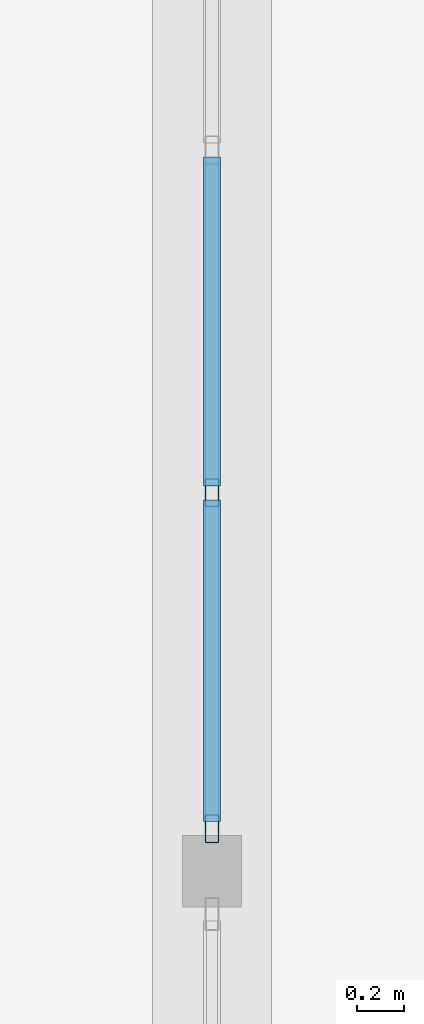
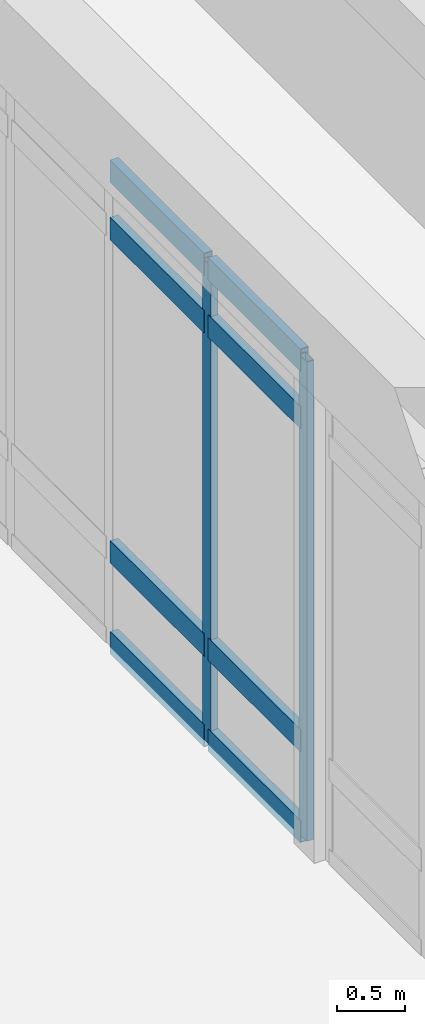
# One storey, part 36 of 138: 10 members, 1 element without a shape of its own.
"""IFC4 building model written with IfcOpenShell, lengths in metres."""

from ifc_helpers import new_model, si_unit, direction, frame, origin, origin_2d, place, context, subcontext, project, spatial, hollow_rectangle, extrude, material, layer, layer_set, material_profile, profile_set, type_object, element, aggregate, save


model = new_model("IFC4")

# Units and contexts
model_context = context("Model", 3, precision=1e-05, world=origin(), true_north=direction((0.0, 1.0)))
body_context = subcontext(model_context, "Body", "Model", "MODEL_VIEW")
ifc_project = project(units=[si_unit("LENGTHUNIT", "METRE"), si_unit("AREAUNIT", "SQUARE_METRE"), si_unit("VOLUMEUNIT", "CUBIC_METRE"), si_unit("PLANEANGLEUNIT", "RADIAN"), si_unit("MASSUNIT", "GRAM", prefix="KILO")], contexts=[model_context])

# Site, building, storey
site_placement = place(None, origin())
site = spatial("IfcSite", under=ifc_project, at=site_placement, CompositionType="ELEMENT")
building_placement = place(site_placement, origin())
building = spatial("IfcBuilding", under=site, at=building_placement, Name="Fikremerkos Civic Library", CompositionType="ELEMENT")
storey_placement = place(building_placement, origin())
storey = spatial("IfcBuildingStorey", under=building, at=storey_placement, Name="L00", CompositionType="ELEMENT", Elevation=0.0)

# Curtain wall, members
ifc_material = material(Name="Anodized aluminium Frame", Category="aluminium")
ifc_layer = layer(ifc_material, 0.159912109375, Name="Anodized aluminium Frame")
ifc_layer_set = layer_set([ifc_layer], Name="Anodized aluminium Frame")
curtain_wall_type = type_object("IfcCurtainWallType", Name="Unitised curtain wall CW-08 4500x4100", PredefinedType="USERDEFINED", material=ifc_layer_set)
curtain_wall_placement = place(storey_placement, origin())
curtain_wall = element("IfcCurtainWall", 1, at=curtain_wall_placement, inside=storey, type_object=curtain_wall_type, Name="Unitised curtain wall CW-08 L00 #26", ObjectType="UNITISED CURTAIN WALL", PredefinedType="USERDEFINED")
ifc_material_profile_1 = material_profile(ifc_material, hollow_rectangle(XDim=0.06005859375, YDim=0.1201171875, WallThickness=0.00390625, at=origin_2d()), Name="ALU 120x60x4")
ifc_profile_set_1 = profile_set([ifc_material_profile_1], Name="Anodized aluminium Frame")
member_type_1 = type_object("IfcMemberType", Name="Curtain mullion CWM-04 ALU 120x60x4", PredefinedType="MULLION", material=ifc_profile_set_1)
member_1_placement = place(storey_placement, frame((124.800048828125, 64.354248046875, 0.0), z_axis=(0.0, 0.0, 1.0), x_axis=(-1.0, 0.0, 0.0)))
member_1 = element("IfcMember", 2, at=member_1_placement, type_object=member_type_1, Name="CW-08 mullion 1", PredefinedType="MULLION", context=body_context, shape_type="SweptSolid", body=[
    extrude(hollow_rectangle(XDim=0.06005859375, YDim=0.1201171875, WallThickness=0.00390625, at=origin_2d()), origin(), (0.0, 0.0, 1.0), 4.300048828125),
])
member_2_placement = place(storey_placement, frame((124.800048828125, 65.768310546875, 0.0), z_axis=(0.0, 0.0, 1.0), x_axis=(-1.0, 0.0, 0.0)))
member_2 = element("IfcMember", 3, at=member_2_placement, type_object=member_type_1, Name="CW-08 mullion 2", PredefinedType="MULLION", context=body_context, shape_type="SweptSolid", body=[
    extrude(hollow_rectangle(XDim=0.06005859375, YDim=0.1201171875, WallThickness=0.00390625, at=origin_2d()), origin(), (0.0, 0.0, 1.0), 4.300048828125),
])
ifc_material_profile_2 = material_profile(ifc_material, hollow_rectangle(XDim=0.070068359375, YDim=0.199951171875, WallThickness=0.0048828125, at=origin_2d()), Name="ALU 200x70x5")
ifc_profile_set_2 = profile_set([ifc_material_profile_2], Name="Anodized aluminium Frame")
member_type_2 = type_object("IfcMemberType", Name="Curtain transom CWT-04 ALU 200x70x5", PredefinedType="USERDEFINED", material=ifc_profile_set_2)
member_3_placement = place(storey_placement, frame((124.800048828125, 64.38427734375, 0.034912109375), z_axis=(0.0, 1.0, 0.0), x_axis=(-1.0, 0.0, 0.0)))
member_3 = element("IfcMember", 4, at=member_3_placement, type_object=member_type_2, Name="CW-08 transom 1.1", ObjectType="TRANSOM", PredefinedType="USERDEFINED", context=body_context, shape_type="SweptSolid", body=[
    extrude(hollow_rectangle(XDim=0.070068359375, YDim=0.199951171875, WallThickness=0.0048828125, at=origin_2d()), origin(), (0.0, 0.0, 1.0), 1.354248046875),
])
member_4_placement = place(storey_placement, frame((124.800048828125, 64.38427734375, 0.85009765625), z_axis=(0.0, 1.0, 0.0), x_axis=(-1.0, 0.0, 0.0)))
member_4 = element("IfcMember", 5, at=member_4_placement, type_object=member_type_2, Name="CW-08 transom 1.2", ObjectType="TRANSOM", PredefinedType="USERDEFINED", context=body_context, shape_type="SweptSolid", body=[
    extrude(hollow_rectangle(XDim=0.070068359375, YDim=0.199951171875, WallThickness=0.0048828125, at=origin_2d()), origin(), (0.0, 0.0, 1.0), 1.354248046875),
])
member_5_placement = place(storey_placement, frame((124.800048828125, 64.38427734375, 3.75), z_axis=(0.0, 1.0, 0.0), x_axis=(-1.0, 0.0, 0.0)))
member_5 = element("IfcMember", 6, at=member_5_placement, type_object=member_type_2, Name="CW-08 transom 1.3", ObjectType="TRANSOM", PredefinedType="USERDEFINED", context=body_context, shape_type="SweptSolid", body=[
    extrude(hollow_rectangle(XDim=0.070068359375, YDim=0.199951171875, WallThickness=0.0048828125, at=origin_2d()), origin(), (0.0, 0.0, 1.0), 1.354248046875),
])
member_6_placement = place(storey_placement, frame((124.800048828125, 64.38427734375, 4.264892578125), z_axis=(0.0, 1.0, 0.0), x_axis=(-1.0, 0.0, 0.0)))
member_6 = element("IfcMember", 7, at=member_6_placement, type_object=member_type_2, Name="CW-08 transom 1.4", ObjectType="TRANSOM", PredefinedType="USERDEFINED", context=body_context, shape_type="SweptSolid", body=[
    extrude(hollow_rectangle(XDim=0.070068359375, YDim=0.199951171875, WallThickness=0.0048828125, at=origin_2d()), origin(), (0.0, 0.0, 1.0), 1.354248046875),
])
member_7_placement = place(storey_placement, frame((124.800048828125, 65.79833984375, 0.034912109375), z_axis=(0.0, 1.0, 0.0), x_axis=(-1.0, 0.0, 0.0)))
member_7 = element("IfcMember", 8, at=member_7_placement, type_object=member_type_2, Name="CW-08 transom 2.1", ObjectType="TRANSOM", PredefinedType="USERDEFINED", context=body_context, shape_type="SweptSolid", body=[
    extrude(hollow_rectangle(XDim=0.070068359375, YDim=0.199951171875, WallThickness=0.0048828125, at=origin_2d()), origin(), (0.0, 0.0, 1.0), 1.38427734375),
])
member_8_placement = place(storey_placement, frame((124.800048828125, 65.79833984375, 0.85009765625), z_axis=(0.0, 1.0, 0.0), x_axis=(-1.0, 0.0, 0.0)))
member_8 = element("IfcMember", 9, at=member_8_placement, type_object=member_type_2, Name="CW-08 transom 2.2", ObjectType="TRANSOM", PredefinedType="USERDEFINED", context=body_context, shape_type="SweptSolid", body=[
    extrude(hollow_rectangle(XDim=0.070068359375, YDim=0.199951171875, WallThickness=0.0048828125, at=origin_2d()), origin(), (0.0, 0.0, 1.0), 1.38427734375),
])
member_9_placement = place(storey_placement, frame((124.800048828125, 65.79833984375, 3.75), z_axis=(0.0, 1.0, 0.0), x_axis=(-1.0, 0.0, 0.0)))
member_9 = element("IfcMember", 10, at=member_9_placement, type_object=member_type_2, Name="CW-08 transom 2.3", ObjectType="TRANSOM", PredefinedType="USERDEFINED", context=body_context, shape_type="SweptSolid", body=[
    extrude(hollow_rectangle(XDim=0.070068359375, YDim=0.199951171875, WallThickness=0.0048828125, at=origin_2d()), origin(), (0.0, 0.0, 1.0), 1.38427734375),
])
member_10_placement = place(storey_placement, frame((124.800048828125, 65.79833984375, 4.264892578125), z_axis=(0.0, 1.0, 0.0), x_axis=(-1.0, 0.0, 0.0)))
member_10 = element("IfcMember", 11, at=member_10_placement, type_object=member_type_2, Name="CW-08 transom 2.4", ObjectType="TRANSOM", PredefinedType="USERDEFINED", context=body_context, shape_type="SweptSolid", body=[
    extrude(hollow_rectangle(XDim=0.070068359375, YDim=0.199951171875, WallThickness=0.0048828125, at=origin_2d()), origin(), (0.0, 0.0, 1.0), 1.38427734375),
])
aggregate(curtain_wall, [member_1, member_2, member_3, member_4, member_5, member_6, member_7, member_8, member_9, member_10])

save(model, "model.ifc")
